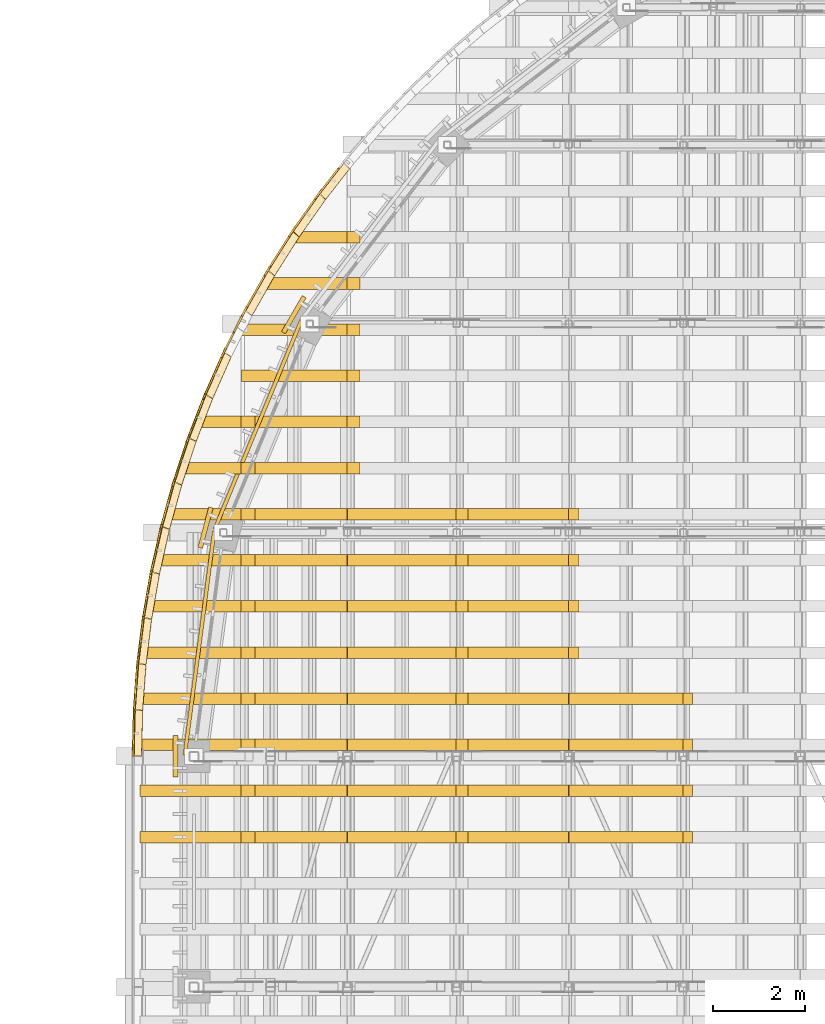
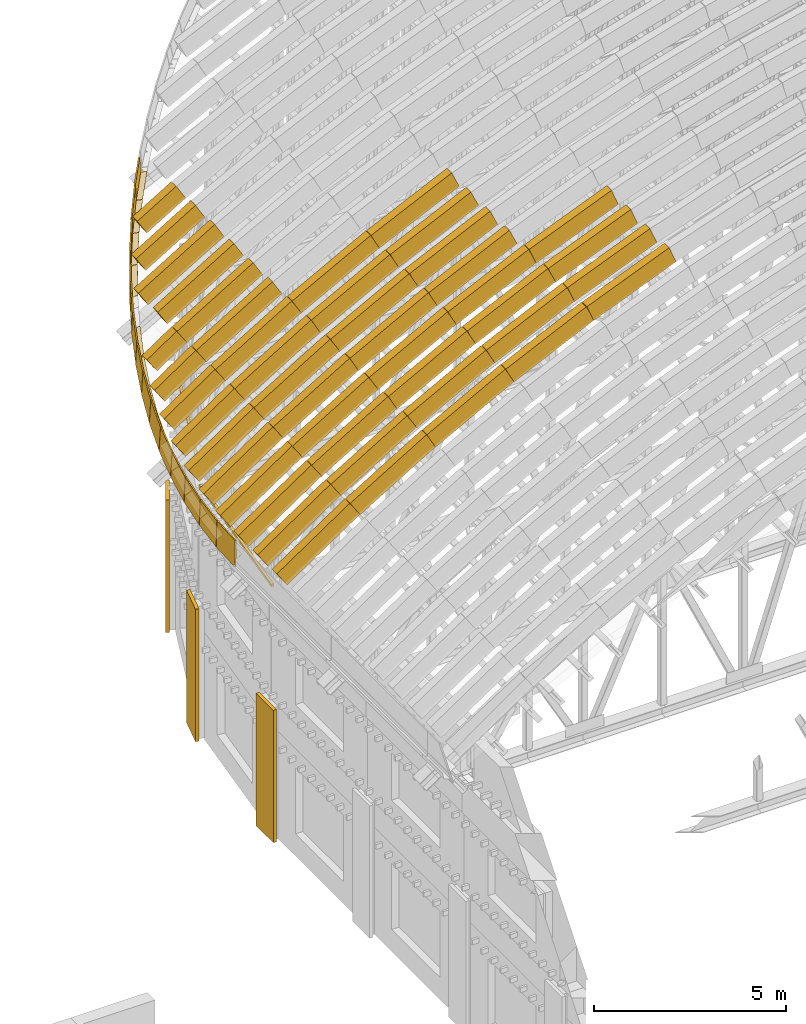
# One storey, part 89 of 105: 77 coverings.
"""IFC4 building model written with IfcOpenShell, lengths in metres."""

from ifc_helpers import new_model, si_unit, direction, frame, origin, origin_2d, place, context, subcontext, project, spatial, polyline, rectangle, outline, extrude, material, layer, layer_set, material_profile, profile_set, type_object, element, save


model = new_model("IFC4")

# Units and contexts
model_context = context("Model", 3, precision=1e-05, world=origin(), true_north=direction((0.0, 1.0)))
body_context = subcontext(model_context, "Body", "Model", "MODEL_VIEW")
ifc_project = project(units=[si_unit("LENGTHUNIT", "METRE"), si_unit("AREAUNIT", "SQUARE_METRE"), si_unit("VOLUMEUNIT", "CUBIC_METRE"), si_unit("PLANEANGLEUNIT", "RADIAN"), si_unit("MASSUNIT", "GRAM", prefix="KILO")], contexts=[model_context])

# Site, building, storey
site_placement = place(None, origin())
site = spatial("IfcSite", under=ifc_project, at=site_placement, CompositionType="ELEMENT")
building_placement = place(site_placement, origin())
building = spatial("IfcBuilding", under=site, at=building_placement, Name="Wasatch Bagh Community Centre", CompositionType="ELEMENT")
storey_placement = place(building_placement, frame((0.0, 0.0, 16.800048828125)))
storey = spatial("IfcBuildingStorey", under=building, at=storey_placement, Name="L04", CompositionType="ELEMENT", Elevation=16.800048828125)

# Coverings
ifc_material_1 = material(Name="White precast concrete C40/50", Category="concrete")
ifc_layer = layer(ifc_material_1, 0.10009765625)
ifc_layer_set = layer_set([ifc_layer], Name="White precast concrete C40/50")
covering_type_1 = type_object("IfcCoveringType", Name="MH column casing", PredefinedType="CLADDING", material=ifc_layer_set)
for number, where, z_axis, x_axis, name in (
    (1, (16.85009765625, 65.0, 0.0), (0.0, 0.0, 1.0), (0.0, -1.0, 0.0), "Column casing W7 L04"),
    (2, (19.41552734375, 74.574951171875, 0.0), (0.0, 0.0, 1.0), (-0.5, -0.866025403784, 0.0), "Column casing N10 L04"),
    (3, (17.50244140625, 69.956298828125, 0.0), (0.0, 0.0, 1.0), (-0.258819045103, -0.965925826289, 0.0), "Column casing N11 L04"),
):
    element("IfcCovering", number, at=place(storey_placement, frame(where, z_axis=z_axis, x_axis=x_axis)), inside=storey, type_object=covering_type_1, Name=name, PredefinedType="CLADDING", context=body_context, shape_type="SweptSolid", body=[
        extrude(rectangle(XDim=0.89990234375, YDim=0.10009765625, at=origin_2d()), origin(), (0.0, 0.0, 1.0), 4.199951171875),
    ])
ifc_material_2 = material(Name="ASTM A653 Grade 50 steel, zinc-aluminium coated", Category="steel")
ifc_material_profile_1 = material_profile(ifc_material_2, outline(polyline([(-0.080078125, 0.0029296875), (0.152099609375, 0.0029296875), (0.152099609375, -0.031982421875), (0.14892578125, -0.031982421875), (0.14892578125, 0.0), (-0.080078125, 0.0), (-0.080078125, 0.0029296875)])), Name="DRIP EDGE")
ifc_profile_set_1 = profile_set([ifc_material_profile_1], Name="ASTM A653 Grade 50 steel, zinc-aluminium coated")
covering_type_2 = type_object("IfcCoveringType", Name="MH drip edge", PredefinedType="CLADDING", material=ifc_profile_set_1)
covering_1_placement = place(storey_placement, frame((16.050048828125, 65.00390625, 9.074462890625), z_axis=(0.024631746322, 0.999556265746, 0.016749587499), x_axis=(-0.828421906561, 0.029786940563, -0.559311972786)))
element("IfcCovering", 4, at=covering_1_placement, inside=storey, type_object=covering_type_2, Name="Drip edge 84", PredefinedType="CLADDING", context=body_context, shape_type="SweptSolid", body=[
    extrude(outline(polyline([(-0.080078125, 0.0029296875), (0.152099609375, 0.0029296875), (0.152099609375, -0.031982421875), (0.14892578125, -0.031982421875), (0.14892578125, 0.0), (-0.080078125, 0.0), (-0.080078125, 0.0029296875)])), origin(), (0.0, 0.0, 1.0), 0.9912109375),
])
covering_2_placement = place(storey_placement, frame((16.07470703125, 66.00244140625, 9.09130859375), z_axis=(0.073572812373, 0.996062690583, 0.049458646444), x_axis=(-0.82552461009, 0.088651480683, -0.557359877555)))
element("IfcCovering", 5, at=covering_2_placement, inside=storey, type_object=covering_type_2, Name="Drip edge 85", PredefinedType="CLADDING", context=body_context, shape_type="SweptSolid", body=[
    extrude(outline(polyline([(-0.080078125, 0.0029296875), (0.152099609375, 0.0029296875), (0.152099609375, -0.031982421875), (0.14892578125, -0.031982421875), (0.14892578125, 0.0), (-0.080078125, 0.0), (-0.080078125, 0.0029296875)])), origin(), (0.0, 0.0, 1.0), 0.9921875),
])
covering_3_placement = place(storey_placement, frame((16.1484375, 66.99853515625, 9.140869140625), z_axis=(0.12204014719, 0.989089965555, 0.082506015002), x_axis=(-0.819746225933, 0.147312701226, -0.553457399558)))
element("IfcCovering", 6, at=covering_3_placement, inside=storey, type_object=covering_type_2, Name="Drip edge 86", PredefinedType="CLADDING", context=body_context, shape_type="SweptSolid", body=[
    extrude(outline(polyline([(-0.080078125, 0.0029296875), (0.152099609375, 0.0029296875), (0.152099609375, -0.031982421875), (0.14892578125, -0.031982421875), (0.14892578125, 0.0), (-0.080078125, 0.0), (-0.080078125, 0.0029296875)])), origin(), (0.0, 0.0, 1.0), 0.994140625),
])
covering_4_placement = place(storey_placement, frame((16.27099609375, 67.989990234375, 9.2236328125), z_axis=(0.169902878938, 0.978777680106, 0.11457427571), x_axis=(-0.811197304634, 0.204924962907, -0.547690325395)))
element("IfcCovering", 7, at=covering_4_placement, inside=storey, type_object=covering_type_2, Name="Drip edge 87", PredefinedType="CLADDING", context=body_context, shape_type="SweptSolid", body=[
    extrude(outline(polyline([(-0.080078125, 0.0029296875), (0.152099609375, 0.0029296875), (0.152099609375, -0.031982421875), (0.14892578125, -0.031982421875), (0.14892578125, 0.0), (-0.080078125, 0.0), (-0.080078125, 0.0029296875)])), origin(), (0.0, 0.0, 1.0), 0.997314453125),
])
covering_5_placement = place(storey_placement, frame((16.44189453125, 68.973876953125, 9.339111328125), z_axis=(0.21668802883, 0.965224515374, 0.146246138693), x_axis=(-0.799973820931, 0.261422327726, -0.540092818312)))
element("IfcCovering", 8, at=covering_5_placement, inside=storey, type_object=covering_type_2, Name="Drip edge 88", PredefinedType="CLADDING", context=body_context, shape_type="SweptSolid", body=[
    extrude(outline(polyline([(-0.080078125, 0.0029296875), (0.152099609375, 0.0029296875), (0.152099609375, -0.031982421875), (0.14892578125, -0.031982421875), (0.14892578125, 0.0), (-0.080078125, 0.0), (-0.080078125, 0.0029296875)])), origin(), (0.0, 0.0, 1.0), 1.001708984375),
])
covering_6_placement = place(storey_placement, frame((16.660888671875, 69.948486328125, 9.48681640625), z_axis=(0.262581189237, 0.948492716802, 0.177236241304), x_axis=(-0.78609227934, 0.316798933807, -0.53075169703)))
element("IfcCovering", 9, at=covering_6_placement, inside=storey, type_object=covering_type_2, Name="Drip edge 89", PredefinedType="CLADDING", context=body_context, shape_type="SweptSolid", body=[
    extrude(outline(polyline([(-0.080078125, 0.0029296875), (0.152099609375, 0.0029296875), (0.152099609375, -0.031982421875), (0.14892578125, -0.031982421875), (0.14892578125, 0.0), (-0.080078125, 0.0), (-0.080078125, 0.0029296875)])), origin(), (0.0, 0.0, 1.0), 1.0068359375),
])
covering_7_placement = place(storey_placement, frame((16.927490234375, 70.910888671875, 9.6669921875), z_axis=(0.30677428669, 0.928998330863, 0.207006372558), x_axis=(-0.769959125966, 0.370083902998, -0.519808473462)))
element("IfcCovering", 10, at=covering_7_placement, inside=storey, type_object=covering_type_2, Name="Drip edge 90", PredefinedType="CLADDING", context=body_context, shape_type="SweptSolid", body=[
    extrude(outline(polyline([(-0.080078125, 0.0029296875), (0.152099609375, 0.0029296875), (0.152099609375, -0.031982421875), (0.14892578125, -0.031982421875), (0.14892578125, 0.0), (-0.080078125, 0.0), (-0.080078125, 0.0029296875)])), origin(), (0.0, 0.0, 1.0), 1.01318359375),
])
covering_8_placement = place(storey_placement, frame((17.240966796875, 71.859375, 9.878662109375), z_axis=(0.349764976369, 0.906611886044, 0.23604946386), x_axis=(-0.751385496628, 0.421965499017, -0.507311495135)))
element("IfcCovering", 11, at=covering_8_placement, inside=storey, type_object=covering_type_2, Name="Drip edge 91", PredefinedType="CLADDING", context=body_context, shape_type="SweptSolid", body=[
    extrude(outline(polyline([(-0.080078125, 0.0029296875), (0.152099609375, 0.0029296875), (0.152099609375, -0.031982421875), (0.14892578125, -0.031982421875), (0.14892578125, 0.0), (-0.080078125, 0.0), (-0.080078125, 0.0029296875)])), origin(), (0.0, 0.0, 1.0), 1.019775390625),
])
covering_9_placement = place(storey_placement, frame((17.6005859375, 72.791015625, 10.121337890625), z_axis=(0.390789372223, 0.881829878232, 0.263931302456), x_axis=(-0.730866106254, 0.471567662093, -0.493415316743)))
element("IfcCovering", 12, at=covering_9_placement, inside=storey, type_object=covering_type_2, Name="Drip edge 92", PredefinedType="CLADDING", context=body_context, shape_type="SweptSolid", body=[
    extrude(outline(polyline([(-0.080078125, 0.0029296875), (0.152099609375, 0.0029296875), (0.152099609375, -0.031982421875), (0.14892578125, -0.031982421875), (0.14892578125, 0.0), (-0.080078125, 0.0), (-0.080078125, 0.0029296875)])), origin(), (0.0, 0.0, 1.0), 1.027587890625),
])
covering_10_placement = place(storey_placement, frame((18.454833984375, 74.59619140625, 10.66748046875), z_axis=(0.472453082289, 0.834171284221, 0.284510726716), x_axis=(-0.714537823798, 0.551505452288, -0.430438653537)))
element("IfcCovering", 13, at=covering_10_placement, inside=storey, type_object=covering_type_2, Name="Drip edge 95", PredefinedType="CLADDING", context=body_context, shape_type="SweptSolid", body=[
    extrude(outline(polyline([(-0.080078125, 0.0029296875), (0.152099609375, 0.0029296875), (0.152099609375, -0.031982421875), (0.14892578125, -0.031982421875), (0.14892578125, 0.0), (-0.080078125, 0.0), (-0.080078125, 0.0029296875)])), origin(), (0.0, 0.0, 1.0), 1.033935546875),
])
covering_11_placement = place(storey_placement, frame((18.947265625, 75.465087890625, 10.964111328125), z_axis=(0.509121729554, 0.80423418697, 0.306598168626), x_axis=(-0.68890307338, 0.594312518181, -0.414976127291)))
element("IfcCovering", 14, at=covering_11_placement, inside=storey, type_object=covering_type_2, Name="Drip edge 96", PredefinedType="CLADDING", context=body_context, shape_type="SweptSolid", body=[
    extrude(outline(polyline([(-0.080078125, 0.0029296875), (0.152099609375, 0.0029296875), (0.152099609375, -0.031982421875), (0.14892578125, -0.031982421875), (0.14892578125, 0.0), (-0.080078125, 0.0), (-0.080078125, 0.0029296875)])), origin(), (0.0, 0.0, 1.0), 1.04150390625),
])
covering_12_placement = place(storey_placement, frame((19.481689453125, 76.308837890625, 11.2861328125), z_axis=(0.543998914386, 0.77248776551, 0.327609269228), x_axis=(-0.661695546151, 0.635029642781, -0.398618059041)))
element("IfcCovering", 15, at=covering_12_placement, inside=storey, type_object=covering_type_2, Name="Drip edge 97", PredefinedType="CLADDING", context=body_context, shape_type="SweptSolid", body=[
    extrude(outline(polyline([(-0.080078125, 0.0029296875), (0.152099609375, 0.0029296875), (0.152099609375, -0.031982421875), (0.14892578125, -0.031982421875), (0.14892578125, 0.0), (-0.080078125, 0.0), (-0.080078125, 0.0029296875)])), origin(), (0.0, 0.0, 1.0), 1.04931640625),
])
covering_13_placement = place(storey_placement, frame((20.05712890625, 77.12548828125, 11.632568359375), z_axis=(0.576762454835, 0.739249983541, 0.347641384946), x_axis=(-0.633241255348, 0.673431096684, -0.381439471664)))
element("IfcCovering", 16, at=covering_13_placement, inside=storey, type_object=covering_type_2, Name="Drip edge 98", PredefinedType="CLADDING", context=body_context, shape_type="SweptSolid", body=[
    extrude(outline(polyline([(-0.080078125, 0.0029296875), (0.152099609375, 0.0029296875), (0.152099609375, -0.031982421875), (0.14892578125, -0.031982421875), (0.14892578125, 0.0), (-0.080078125, 0.0), (-0.080078125, 0.0029296875)])), origin(), (0.0, 0.0, 1.0), 0.89404296875),
])
ifc_material_profile_2 = material_profile(ifc_material_2, rectangle(XDim=0.0400390625, YDim=0.85009765625, at=origin_2d()), Name="FASCIA 40x850")
ifc_profile_set_2 = profile_set([ifc_material_profile_2], Name="ASTM A653 Grade 50 steel, zinc-aluminium coated")
covering_type_3 = type_object("IfcCoveringType", Name="MH eave fascia 40x850", PredefinedType="CLADDING", material=ifc_profile_set_2)
covering_14_placement = place(storey_placement, frame((15.93017578125, 65.0068359375, 9.199462890625), z_axis=(0.024385576072, 0.999562300015, 0.016749688615), x_axis=(-0.99970254416, 0.024388997504, 0.0)))
element("IfcCovering", 17, at=covering_14_placement, inside=storey, type_object=covering_type_3, Name="Eave fascia 84", PredefinedType="CLADDING", context=body_context, shape_type="SweptSolid", body=[
    extrude(rectangle(XDim=0.0400390625, YDim=0.85009765625, at=origin_2d()), origin(), (0.0, 0.0, 1.0), 0.9912109375),
])
covering_15_placement = place(storey_placement, frame((15.955078125, 66.01123046875, 9.216796875), z_axis=(0.073572812373, 0.996062690583, 0.049458646444), x_axis=(-0.997283193411, 0.07366296315, 0.0)))
element("IfcCovering", 18, at=covering_15_placement, inside=storey, type_object=covering_type_3, Name="Eave fascia 85", PredefinedType="CLADDING", context=body_context, shape_type="SweptSolid", body=[
    extrude(rectangle(XDim=0.0400390625, YDim=0.85009765625, at=origin_2d()), origin(), (0.0, 0.0, 1.0), 0.9921875),
])
covering_16_placement = place(storey_placement, frame((16.029296875, 67.01318359375, 9.267333984375), z_axis=(0.12204014719, 0.989089965555, 0.082506015002), x_axis=(-0.992473738642, 0.122457658417, 0.0)))
element("IfcCovering", 19, at=covering_16_placement, inside=storey, type_object=covering_type_3, Name="Eave fascia 86", PredefinedType="CLADDING", context=body_context, shape_type="SweptSolid", body=[
    extrude(rectangle(XDim=0.0400390625, YDim=0.85009765625, at=origin_2d()), origin(), (0.0, 0.0, 1.0), 0.994140625),
])
covering_17_placement = place(storey_placement, frame((16.152587890625, 68.010498046875, 9.351318359375), z_axis=(0.169898108321, 0.978750197501, 0.114815868591), x_axis=(-0.98526596737, 0.171029159919, 0.0)))
element("IfcCovering", 20, at=covering_17_placement, inside=storey, type_object=covering_type_3, Name="Eave fascia 87", PredefinedType="CLADDING", context=body_context, shape_type="SweptSolid", body=[
    extrude(rectangle(XDim=0.0400390625, YDim=0.85009765625, at=origin_2d()), origin(), (0.0, 0.0, 1.0), 0.997314453125),
])
covering_18_placement = place(storey_placement, frame((16.32470703125, 69.000244140625, 9.468505859375), z_axis=(0.216912571649, 0.965139082844, 0.146476916361), x_axis=(-0.975662492095, 0.219277681304, 0.0)))
element("IfcCovering", 21, at=covering_18_placement, inside=storey, type_object=covering_type_3, Name="Eave fascia 88", PredefinedType="CLADDING", context=body_context, shape_type="SweptSolid", body=[
    extrude(rectangle(XDim=0.0400390625, YDim=0.85009765625, at=origin_2d()), origin(), (0.0, 0.0, 1.0), 1.001708984375),
])
covering_19_placement = place(storey_placement, frame((16.545166015625, 69.98046875, 9.61865234375), z_axis=(0.262581189237, 0.948492716802, 0.177236241304), x_axis=(-0.963750490163, 0.266805158703, 0.0)))
element("IfcCovering", 22, at=covering_19_placement, inside=storey, type_object=covering_type_3, Name="Eave fascia 89", PredefinedType="CLADDING", context=body_context, shape_type="SweptSolid", body=[
    extrude(rectangle(XDim=0.0400390625, YDim=0.85009765625, at=origin_2d()), origin(), (0.0, 0.0, 1.0), 1.0068359375),
])
covering_20_placement = place(storey_placement, frame((16.8134765625, 70.94873046875, 9.801025390625), z_axis=(0.307045970213, 0.928850211303, 0.207268080364), x_axis=(-0.94946869976, 0.313861734171, 0.0)))
element("IfcCovering", 23, at=covering_20_placement, inside=storey, type_object=covering_type_3, Name="Eave fascia 90", PredefinedType="CLADDING", context=body_context, shape_type="SweptSolid", body=[
    extrude(rectangle(XDim=0.0400390625, YDim=0.85009765625, at=origin_2d()), origin(), (0.0, 0.0, 1.0), 1.012939453125),
])
covering_21_placement = place(storey_placement, frame((17.12890625, 71.902587890625, 10.015625), z_axis=(0.349764976369, 0.906611886044, 0.23604946386), x_axis=(-0.932976840398, 0.359936404495, 0.0)))
element("IfcCovering", 24, at=covering_21_placement, inside=storey, type_object=covering_type_3, Name="Eave fascia 91", PredefinedType="CLADDING", context=body_context, shape_type="SweptSolid", body=[
    extrude(rectangle(XDim=0.0400390625, YDim=0.85009765625, at=origin_2d()), origin(), (0.0, 0.0, 1.0), 1.019775390625),
])
covering_22_placement = place(storey_placement, frame((17.490966796875, 72.83984375, 10.261474609375), z_axis=(0.390871253078, 0.88177703354, 0.263986603143), x_axis=(-0.914207306635, 0.405246838969, 0.0)))
element("IfcCovering", 25, at=covering_22_placement, inside=storey, type_object=covering_type_3, Name="Eave fascia 92", PredefinedType="CLADDING", context=body_context, shape_type="SweptSolid", body=[
    extrude(rectangle(XDim=0.0400390625, YDim=0.85009765625, at=origin_2d()), origin(), (0.0, 0.0, 1.0), 1.027587890625),
])
covering_23_placement = place(storey_placement, frame((17.8984375, 73.758056640625, 10.5380859375), z_axis=(0.429972933929, 0.854850473017, 0.290437505963), x_axis=(-0.893359668549, 0.449342300045, 0.0)))
element("IfcCovering", 26, at=covering_23_placement, inside=storey, type_object=covering_type_3, Name="Eave fascia 93", PredefinedType="CLADDING", context=body_context, shape_type="SweptSolid", body=[
    extrude(rectangle(XDim=0.0400390625, YDim=0.85009765625, at=origin_2d()), origin(), (0.0, 0.0, 1.0), 0.622802734375),
])
covering_24_placement = place(storey_placement, frame((18.169921875, 74.29736328125, 10.699951171875), z_axis=(0.433824960288, 0.862173869184, 0.261633566513), x_axis=(-0.893289575547, 0.449481628345, 0.0)))
element("IfcCovering", 27, at=covering_24_placement, inside=storey, type_object=covering_type_3, Name="Eave fascia 94", PredefinedType="CLADDING", context=body_context, shape_type="SweptSolid", body=[
    extrude(rectangle(XDim=0.0400390625, YDim=0.85009765625, at=origin_2d()), origin(), (0.0, 0.0, 1.0), 0.4013671875),
])
covering_25_placement = place(storey_placement, frame((18.350341796875, 74.655517578125, 10.81005859375), z_axis=(0.472546148571, 0.834099448651, 0.284566771128), x_axis=(-0.870071490855, 0.492925553001, 0.0)))
element("IfcCovering", 28, at=covering_25_placement, inside=storey, type_object=covering_type_3, Name="Eave fascia 95", PredefinedType="CLADDING", context=body_context, shape_type="SweptSolid", body=[
    extrude(rectangle(XDim=0.0400390625, YDim=0.85009765625, at=origin_2d()), origin(), (0.0, 0.0, 1.0), 1.033935546875),
])
covering_26_placement = place(storey_placement, frame((18.845947265625, 75.529296875, 11.109619140625), z_axis=(0.509121729554, 0.80423418697, 0.306598168626), x_axis=(-0.844926664054, 0.53488216681, 0.0)))
element("IfcCovering", 29, at=covering_26_placement, inside=storey, type_object=covering_type_3, Name="Eave fascia 96", PredefinedType="CLADDING", context=body_context, shape_type="SweptSolid", body=[
    extrude(rectangle(XDim=0.0400390625, YDim=0.85009765625, at=origin_2d()), origin(), (0.0, 0.0, 1.0), 1.04150390625),
])
covering_27_placement = place(storey_placement, frame((19.383544921875, 76.3779296875, 11.4345703125), z_axis=(0.543998914386, 0.77248776551, 0.327609269228), x_axis=(-0.817608905097, 0.575773981963, 0.0)))
element("IfcCovering", 30, at=covering_27_placement, inside=storey, type_object=covering_type_3, Name="Eave fascia 97", PredefinedType="CLADDING", context=body_context, shape_type="SweptSolid", body=[
    extrude(rectangle(XDim=0.0400390625, YDim=0.85009765625, at=origin_2d()), origin(), (0.0, 0.0, 1.0), 1.04931640625),
])
covering_28_placement = place(storey_placement, frame((19.96240234375, 77.19921875, 11.7841796875), z_axis=(0.576944655902, 0.739133546393, 0.347586628946), x_axis=(-0.788284778315, 0.615310578714, 0.0)))
element("IfcCovering", 31, at=covering_28_placement, inside=storey, type_object=covering_type_3, Name="Eave fascia 98", PredefinedType="CLADDING", context=body_context, shape_type="SweptSolid", body=[
    extrude(rectangle(XDim=0.0400390625, YDim=0.85009765625, at=origin_2d()), origin(), (0.0, 0.0, 1.0), 0.89404296875),
])
ifc_material_3 = material(Name="Aluminium extrusion", Category="aluminium")
ifc_material_profile_3 = material_profile(ifc_material_3, rectangle(XDim=0.080078125, YDim=0.080078125, at=origin_2d()), Name="AL 80x80")
ifc_profile_set_3 = profile_set([ifc_material_profile_3], Name="Aluminium extrusion")
covering_type_4 = type_object("IfcCoveringType", Name="MH fin rail 80x80", PredefinedType="CLADDING", material=ifc_profile_set_3)
covering_29_placement = place(storey_placement, frame((19.5771484375, 74.451416015625, 8.199951171875), z_axis=(-0.382680724471, -0.923880654153, 0.0), x_axis=(0.923880654153, -0.382680724471, 0.0)))
element("IfcCovering", 32, at=covering_29_placement, inside=storey, type_object=covering_type_4, Name="Fin rail 29.1", PredefinedType="CLADDING", context=body_context, shape_type="SweptSolid", body=[
    extrude(rectangle(XDim=0.080078125, YDim=0.080078125, at=origin_2d()), origin(), (0.0, 0.0, 1.0), 4.89453125),
])
covering_30_placement = place(storey_placement, frame((17.690673828125, 69.87890625, 7.7900390625), z_axis=(-0.130533218363, -0.991443936339, 0.0), x_axis=(0.991443936339, -0.130533218363, 0.0)))
element("IfcCovering", 33, at=covering_30_placement, inside=storey, type_object=covering_type_4, Name="Fin rail 30.1", PredefinedType="CLADDING", context=body_context, shape_type="SweptSolid", body=[
    extrude(rectangle(XDim=0.080078125, YDim=0.080078125, at=origin_2d()), origin(), (0.0, 0.0, 1.0), 4.894775390625),
])
covering_type_5 = type_object("IfcCoveringType", Name="MH roll-over fin rib", PredefinedType="ROOFING", material=ifc_material_2)
for number, where, z_axis, x_axis, name in (
    (34, (16.080078125, 63.125, 9.644775390625), (-0.559557041117, 0.0, 0.828791842223), (0.828791842223, 0.0, 0.559557041117), "Seam rib 1.38"),
    (35, (16.080078125, 64.125, 9.644775390625), (-0.559557041117, 0.0, 0.828791842223), (0.828791842223, 0.0, 0.559557041117), "Seam rib 1.39"),
):
    element("IfcCovering", number, at=place(storey_placement, frame(where, z_axis=z_axis, x_axis=x_axis)), inside=storey, type_object=covering_type_5, Name=name, PredefinedType="ROOFING", context=body_context, shape_type="SweptSolid", body=[
        extrude(outline(polyline([(0.0, 0.0), (2.6396786613582828, 0.0), (2.6396786613582828, 0.25), (0.0, 0.25), (0.0, 0.0)])), origin(), (0.0, 0.0, -1.0), 0.550048828125),
    ])
covering_31_placement = place(storey_placement, frame((16.0830078125, 65.125, 9.646728515625), z_axis=(-0.559563515477, 0.0, 0.828787471037), x_axis=(0.828787471037, 0.0, 0.559563515477)))
element("IfcCovering", 36, at=covering_31_placement, inside=storey, type_object=covering_type_5, Name="Seam rib 1.40", PredefinedType="ROOFING", context=body_context, shape_type="SweptSolid", body=[
    extrude(outline(polyline([(0.0, 0.0), (2.636157675492522, 0.0), (2.636157675492522, 0.25), (0.0, 0.25), (0.0, 0.0)])), origin(), (0.0, 0.0, -1.0), 0.550048828125),
])
covering_32_placement = place(storey_placement, frame((16.114013671875, 66.125, 9.667724609375), z_axis=(-0.559547074351, 0.0, 0.828798571177), x_axis=(0.828798571177, 0.0, 0.559547074351)))
element("IfcCovering", 37, at=covering_32_placement, inside=storey, type_object=covering_type_5, Name="Seam rib 1.41", PredefinedType="ROOFING", context=body_context, shape_type="SweptSolid", body=[
    extrude(outline(polyline([(0.0, 0.0), (2.598711760195096, 0.0), (2.598711760195096, 0.25), (0.0, 0.25), (0.0, 0.0)])), origin(), (0.0, 0.0, -1.0), 0.550048828125),
])
covering_33_placement = place(storey_placement, frame((16.1943359375, 67.125, 9.721923828125), z_axis=(-0.55955497655, 0.0, 0.828793236108), x_axis=(0.828793236108, 0.0, 0.55955497655)))
element("IfcCovering", 38, at=covering_33_placement, inside=storey, type_object=covering_type_5, Name="Seam rib 1.42", PredefinedType="ROOFING", context=body_context, shape_type="SweptSolid", body=[
    extrude(outline(polyline([(0.0, 0.0), (2.5018137670414315, 0.0), (2.5018137670414315, 0.25), (0.0, 0.25), (0.0, 0.0)])), origin(), (0.0, 0.0, -1.0), 0.550048828125),
])
covering_34_placement = place(storey_placement, frame((16.324951171875, 68.125, 9.81005859375), z_axis=(-0.55956943881, 0.0, 0.828783471813), x_axis=(0.828783471813, 0.0, 0.55956943881)))
element("IfcCovering", 39, at=covering_34_placement, inside=storey, type_object=covering_type_5, Name="Seam rib 1.43", PredefinedType="ROOFING", context=body_context, shape_type="SweptSolid", body=[
    extrude(outline(polyline([(0.0, 0.0), (2.3442444979031625, 0.0), (2.3442444979031625, 0.25), (0.0, 0.25), (0.0, 0.0)])), origin(), (0.0, 0.0, -1.0), 0.550048828125),
])
covering_35_placement = place(storey_placement, frame((16.506591796875, 69.125, 9.9326171875), z_axis=(-0.559595180331, 0.0, 0.828766091337), x_axis=(0.828766091337, 0.0, 0.559595180331)))
element("IfcCovering", 40, at=covering_35_placement, inside=storey, type_object=covering_type_5, Name="Seam rib 1.44", PredefinedType="ROOFING", context=body_context, shape_type="SweptSolid", body=[
    extrude(outline(polyline([(0.0, 0.0), (2.1251237075924694, 0.0), (2.1251237075924694, 0.25), (0.0, 0.25), (0.0, 0.0)])), origin(), (0.0, 0.0, -1.0), 0.550048828125),
])
covering_36_placement = place(storey_placement, frame((16.740966796875, 70.125, 10.0908203125), z_axis=(-0.559613954247, 0.0, 0.828753414601), x_axis=(0.828753414601, 0.0, 0.559613954247)))
element("IfcCovering", 41, at=covering_36_placement, inside=storey, type_object=covering_type_5, Name="Seam rib 1.45", PredefinedType="ROOFING", context=body_context, shape_type="SweptSolid", body=[
    extrude(outline(polyline([(0.0, 0.0), (1.842351949144724, 0.0), (1.842351949144724, 0.25), (0.0, 0.25), (0.0, 0.0)])), origin(), (0.0, 0.0, -1.0), 0.550048828125),
])
covering_37_placement = place(storey_placement, frame((17.02978515625, 71.125, 10.285888671875), z_axis=(-0.559593546465, 0.0, 0.828767194545), x_axis=(0.828767194545, 0.0, 0.559593546465)))
element("IfcCovering", 42, at=covering_37_placement, inside=storey, type_object=covering_type_5, Name="Seam rib 1.46", PredefinedType="ROOFING", context=body_context, shape_type="SweptSolid", body=[
    extrude(outline(polyline([(0.0, 0.0), (1.4938297721279543, 0.0), (1.4938297721279543, 0.25), (0.0, 0.25), (0.0, 0.0)])), origin(), (0.0, 0.0, -1.0), 0.550048828125),
])
covering_38_placement = place(storey_placement, frame((17.37548828125, 72.125, 10.51953125), z_axis=(-0.559453380842, 0.0, 0.8288618188), x_axis=(0.8288618188, 0.0, 0.559453380842)))
element("IfcCovering", 43, at=covering_38_placement, inside=storey, type_object=covering_type_5, Name="Seam rib 1.47", PredefinedType="ROOFING", context=body_context, shape_type="SweptSolid", body=[
    extrude(outline(polyline([(0.0, 0.0), (1.0765774995730568, 0.0), (1.0765774995730568, 0.25), (0.0, 0.25), (0.0, 0.0)])), origin(), (0.0, 0.0, -1.0), 0.550048828125),
])
for number, where, z_axis, x_axis, name in (
    (44, (18.282958984375, 63.125, 11.11376953125), (-0.5160563274, 0.0, 0.856554649132), (0.856554649132, 0.0, 0.5160563274), "Seam rib 2.41"),
    (45, (18.282958984375, 64.125, 11.11376953125), (-0.5160563274, 0.0, 0.856554649132), (0.856554649132, 0.0, 0.5160563274), "Seam rib 2.42"),
    (46, (18.282958984375, 65.125, 11.11376953125), (-0.5160563274, 0.0, 0.856554649132), (0.856554649132, 0.0, 0.5160563274), "Seam rib 2.43"),
    (47, (18.282958984375, 66.125, 11.11376953125), (-0.5160563274, 0.0, 0.856554649132), (0.856554649132, 0.0, 0.5160563274), "Seam rib 2.44"),
    (48, (18.282958984375, 67.125, 11.11376953125), (-0.5160563274, 0.0, 0.856554649132), (0.856554649132, 0.0, 0.5160563274), "Seam rib 2.45"),
    (49, (18.282958984375, 68.125, 11.11376953125), (-0.5160563274, 0.0, 0.856554649132), (0.856554649132, 0.0, 0.5160563274), "Seam rib 2.46"),
    (50, (18.282958984375, 69.125, 11.11376953125), (-0.5160563274, 0.0, 0.856554649132), (0.856554649132, 0.0, 0.5160563274), "Seam rib 2.47"),
    (51, (18.282958984375, 70.125, 11.11376953125), (-0.5160563274, 0.0, 0.856554649132), (0.856554649132, 0.0, 0.5160563274), "Seam rib 2.48"),
    (52, (18.282958984375, 71.125, 11.11376953125), (-0.5160563274, 0.0, 0.856554649132), (0.856554649132, 0.0, 0.5160563274), "Seam rib 2.49"),
    (53, (18.282958984375, 72.125, 11.11376953125), (-0.5160563274, 0.0, 0.856554649132), (0.856554649132, 0.0, 0.5160563274), "Seam rib 2.50"),
    (54, (18.282958984375, 73.125, 11.11376953125), (-0.5160563274, 0.0, 0.856554649132), (0.856554649132, 0.0, 0.5160563274), "Seam rib 2.51"),
    (55, (18.282958984375, 74.125, 11.11376953125), (-0.5160563274, 0.0, 0.856554649132), (0.856554649132, 0.0, 0.5160563274), "Seam rib 2.52"),
):
    element("IfcCovering", number, at=place(storey_placement, frame(where, z_axis=z_axis, x_axis=x_axis)), inside=storey, type_object=covering_type_5, Name=name, PredefinedType="ROOFING", context=body_context, shape_type="SweptSolid", body=[
        extrude(outline(polyline([(0.0, 0.0), (2.667276362417656, 0.0), (2.667276362417656, 0.25), (0.0, 0.25), (0.0, 0.0)])), origin(), (0.0, 0.0, -1.0), 0.550048828125),
    ])
covering_39_placement = place(storey_placement, frame((18.788818359375, 75.125, 11.418701171875), z_axis=(-0.515999122793, 0.0, 0.856589111112), x_axis=(0.856589111112, 0.0, 0.515999122793)))
element("IfcCovering", 56, at=covering_39_placement, inside=storey, type_object=covering_type_5, Name="Seam rib 2.53", PredefinedType="ROOFING", context=body_context, shape_type="SweptSolid", body=[
    extrude(outline(polyline([(0.0, 0.0), (2.076618265016027, 0.0), (2.076618265016027, 0.25), (0.0, 0.25), (0.0, 0.0)])), origin(), (0.0, 0.0, -1.0), 0.550048828125),
])
covering_40_placement = place(storey_placement, frame((19.400634765625, 76.125, 11.787109375), z_axis=(-0.516075995994, 0.0, 0.856542798907), x_axis=(0.856542798907, 0.0, 0.516075995994)))
element("IfcCovering", 57, at=covering_40_placement, inside=storey, type_object=covering_type_5, Name="Seam rib 2.54", PredefinedType="ROOFING", context=body_context, shape_type="SweptSolid", body=[
    extrude(outline(polyline([(0.0, 0.0), (1.3624446892667001, 0.0), (1.3624446892667001, 0.25), (0.0, 0.25), (0.0, 0.0)])), origin(), (0.0, 0.0, -1.0), 0.550048828125),
])
for number, where, z_axis, x_axis, name in (
    (58, (20.582763671875, 63.125, 12.483642578125), (-0.471139156817, 0.0, 0.882058895377), (0.882058895377, 0.0, 0.471139156817), "Seam rib 3.44"),
    (59, (20.582763671875, 64.125, 12.483642578125), (-0.471139156817, 0.0, 0.882058895377), (0.882058895377, 0.0, 0.471139156817), "Seam rib 3.45"),
    (60, (20.582763671875, 65.125, 12.483642578125), (-0.471139156817, 0.0, 0.882058895377), (0.882058895377, 0.0, 0.471139156817), "Seam rib 3.46"),
    (61, (20.582763671875, 66.125, 12.483642578125), (-0.471139156817, 0.0, 0.882058895377), (0.882058895377, 0.0, 0.471139156817), "Seam rib 3.47"),
    (62, (20.582763671875, 67.125, 12.483642578125), (-0.471139156817, 0.0, 0.882058895377), (0.882058895377, 0.0, 0.471139156817), "Seam rib 3.48"),
    (63, (20.582763671875, 68.125, 12.483642578125), (-0.471139156817, 0.0, 0.882058895377), (0.882058895377, 0.0, 0.471139156817), "Seam rib 3.49"),
    (64, (20.582763671875, 69.125, 12.483642578125), (-0.471139156817, 0.0, 0.882058895377), (0.882058895377, 0.0, 0.471139156817), "Seam rib 3.50"),
    (65, (20.582763671875, 70.125, 12.483642578125), (-0.471139156817, 0.0, 0.882058895377), (0.882058895377, 0.0, 0.471139156817), "Seam rib 3.51"),
):
    element("IfcCovering", number, at=place(storey_placement, frame(where, z_axis=z_axis, x_axis=x_axis)), inside=storey, type_object=covering_type_5, Name=name, PredefinedType="ROOFING", context=body_context, shape_type="SweptSolid", body=[
        extrude(outline(polyline([(0.0, 0.0), (2.6676533234711526, 0.0), (2.6676533234711526, 0.25000000000000006), (0.0, 0.25000000000000006), (0.0, 0.0)])), origin(), (0.0, 0.0, -1.0), 0.550048828125),
    ])
for number, where, z_axis, x_axis, name in (
    (66, (22.951171875, 63.125, 13.735107421875), (-0.425003555099, 0.0, 0.905191680338), (0.905191680338, 0.0, 0.425003555099), "Seam rib 4.46"),
    (67, (22.951171875, 64.125, 13.735107421875), (-0.425003555099, 0.0, 0.905191680338), (0.905191680338, 0.0, 0.425003555099), "Seam rib 4.47"),
    (68, (22.951171875, 65.125, 13.735107421875), (-0.425003555099, 0.0, 0.905191680338), (0.905191680338, 0.0, 0.425003555099), "Seam rib 4.48"),
    (69, (22.951171875, 66.125, 13.735107421875), (-0.425003555099, 0.0, 0.905191680338), (0.905191680338, 0.0, 0.425003555099), "Seam rib 4.49"),
    (70, (22.951171875, 67.125, 13.735107421875), (-0.425003555099, 0.0, 0.905191680338), (0.905191680338, 0.0, 0.425003555099), "Seam rib 4.50"),
    (71, (22.951171875, 68.125, 13.735107421875), (-0.425003555099, 0.0, 0.905191680338), (0.905191680338, 0.0, 0.425003555099), "Seam rib 4.51"),
    (72, (22.951171875, 69.125, 13.735107421875), (-0.425003555099, 0.0, 0.905191680338), (0.905191680338, 0.0, 0.425003555099), "Seam rib 4.52"),
    (73, (22.951171875, 70.125, 13.735107421875), (-0.425003555099, 0.0, 0.905191680338), (0.905191680338, 0.0, 0.425003555099), "Seam rib 4.53"),
):
    element("IfcCovering", number, at=place(storey_placement, frame(where, z_axis=z_axis, x_axis=x_axis)), inside=storey, type_object=covering_type_5, Name=name, PredefinedType="ROOFING", context=body_context, shape_type="SweptSolid", body=[
        extrude(outline(polyline([(0.0, 0.0), (2.667716655298669, 0.0), (2.667716655298669, 0.25), (0.0, 0.25), (0.0, 0.0)])), origin(), (0.0, 0.0, -1.0), 0.550048828125),
    ])
for number, where, z_axis, x_axis, name in (
    (74, (25.381591796875, 63.125, 14.864501953125), (-0.377724112036, 0.0, 0.925918190332), (0.925918190332, 0.0, 0.377724112036), "Seam rib 5.47"),
    (75, (25.381591796875, 64.125, 14.864501953125), (-0.377724112036, 0.0, 0.925918190332), (0.925918190332, 0.0, 0.377724112036), "Seam rib 5.48"),
    (76, (25.381591796875, 65.125, 14.864501953125), (-0.377724112036, 0.0, 0.925918190332), (0.925918190332, 0.0, 0.377724112036), "Seam rib 5.49"),
    (77, (25.381591796875, 66.125, 14.864501953125), (-0.377724112036, 0.0, 0.925918190332), (0.925918190332, 0.0, 0.377724112036), "Seam rib 5.50"),
):
    element("IfcCovering", number, at=place(storey_placement, frame(where, z_axis=z_axis, x_axis=x_axis)), inside=storey, type_object=covering_type_5, Name=name, PredefinedType="ROOFING", context=body_context, shape_type="SweptSolid", body=[
        extrude(outline(polyline([(0.0, 0.0), (2.6681179937617836, 0.0), (2.6681179937617836, 0.25), (0.0, 0.25), (0.0, 0.0)])), origin(), (0.0, 0.0, -1.0), 0.550048828125),
    ])

save(model, "model.ifc")
